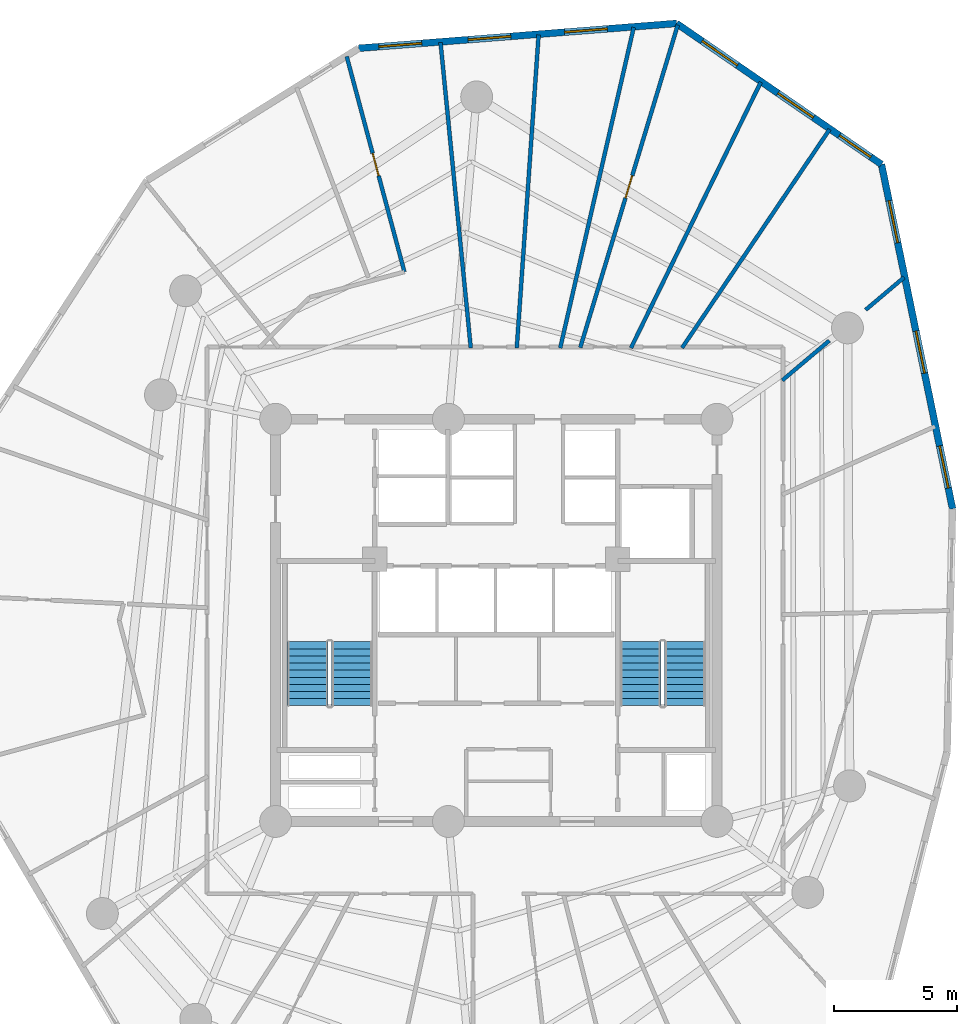
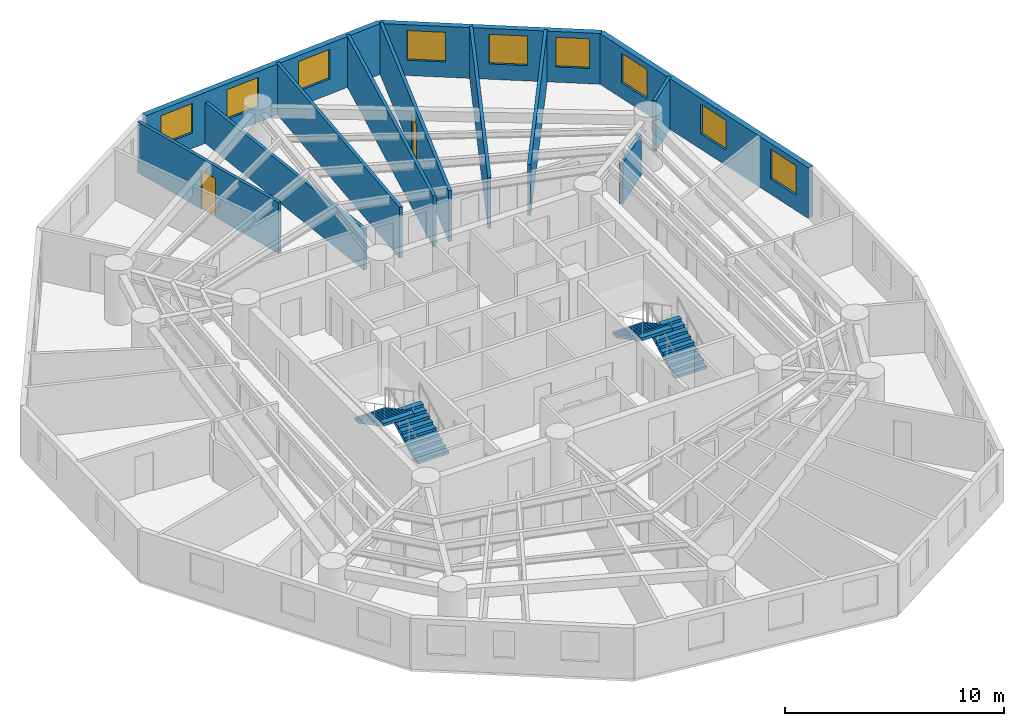
# One storey, part 7 of 8: 12 walls, 9 windows, 4 stair flights, 2 doors, 11 openings, 2 elements without a shape of their own.
"""IFC4 building model written with IfcOpenShell, lengths in metres."""

from ifc_helpers import new_model, si_unit, direction, frame, frame_2d, origin, origin_with_axes, place, context, subcontext, project, spatial, polyline, rectangle, outline, extrude, source, transform, mapped, material, layer, layer_set, type_object, element, fill, aggregate, save


model = new_model("IFC4")

# Units and contexts
model_context = context("Model", 3, precision=1e-05, world=origin(), true_north=direction((0.0, 1.0)))
body_context = subcontext(model_context, "Body", "Model", "MODEL_VIEW")
ifc_project = project(units=[si_unit("LENGTHUNIT", "METRE"), si_unit("AREAUNIT", "SQUARE_METRE"), si_unit("VOLUMEUNIT", "CUBIC_METRE"), si_unit("PLANEANGLEUNIT", "RADIAN"), si_unit("MASSUNIT", "GRAM", prefix="KILO")], contexts=[model_context])

# Site, building, storey
site_placement = place(None, origin())
site = spatial("IfcSite", under=ifc_project, at=site_placement, CompositionType="ELEMENT")
building_placement = place(site_placement, origin())
building = spatial("IfcBuilding", under=site, at=building_placement, Name="Karkom Vertical University and Central Library", CompositionType="ELEMENT")
storey_placement = place(building_placement, frame((0.0, 0.0, 184.0)))
storey = spatial("IfcBuildingStorey", under=building, at=storey_placement, Name="L53", CompositionType="ELEMENT", Elevation=184.0)

# Wall, openings, windows
ifc_material_1 = material(Name="Brick-faced precast concrete C45/55", Category="masonry")
ifc_layer_1 = layer(ifc_material_1, 0.280029296875)
ifc_layer_set_1 = layer_set([ifc_layer_1], Name="Brick-faced precast concrete C45/55")
wall_type_1 = type_object("IfcWallType", Name="ENV-WL-BRK-280", PredefinedType="SOLIDWALL", material=ifc_layer_set_1)
wall_1_placement = place(storey_placement, frame((47.110107421875, 31.05029296875, 0.0), z_axis=(0.0, 0.0, 1.0), x_axis=(-0.202089973757, 0.979366960085, 0.0)))
wall_1 = element("IfcWall", 1, at=wall_1_placement, inside=storey, type_object=wall_type_1, Name="Level 53 Brick-Faced Precast Facade Wall 08", PredefinedType="SOLIDWALL", context=body_context, shape_type="SweptSolid", body=[
    extrude(rectangle(XDim=14.34228515625, YDim=0.280029296875, at=frame_2d((7.171142578125, 0.0))), origin(), (0.0, 0.0, 1.0), 2.824951171875),
])
opening_1_placement = place(wall_1_placement, frame((0.86669921875, 0.0, 0.85009765625)))
opening_1 = element("IfcOpeningElement", 2, at=opening_1_placement, cuts=wall_1, Name="Opening WN-08", PredefinedType="OPENING", context=body_context, shape_type="SweptSolid", body=[
    extrude(rectangle(XDim=1.75, YDim=1.64990234375, at=frame_2d((0.875, 0.824951171875))), frame((0.0, 0.14990234375, 0.0), z_axis=(0.0, -1.0, 0.0), x_axis=(1.0, 0.0, 0.0)), (0.0, 0.0, 1.0), 0.300048828125),
])
opening_2_placement = place(wall_1_placement, frame((5.649658203125, 0.0, 0.85009765625)))
opening_2 = element("IfcOpeningElement", 3, at=opening_2_placement, cuts=wall_1, Name="Opening WN-08", PredefinedType="OPENING", context=body_context, shape_type="SweptSolid", body=[
    extrude(rectangle(XDim=1.75, YDim=1.64990234375, at=frame_2d((0.875, 0.824951171875))), frame((0.0, 0.14990234375, 0.0), z_axis=(0.0, -1.0, 0.0), x_axis=(1.0, 0.0, 0.0)), (0.0, 0.0, 1.0), 0.300048828125),
])
opening_3_placement = place(wall_1_placement, frame((11.0791015625, 0.0, 0.85009765625)))
opening_3 = element("IfcOpeningElement", 4, at=opening_3_placement, cuts=wall_1, Name="Opening WN-08", PredefinedType="OPENING", context=body_context, shape_type="SweptSolid", body=[
    extrude(rectangle(XDim=1.75, YDim=1.64990234375, at=frame_2d((0.875, 0.824951171875))), frame((0.0, 0.14990234375, 0.0), z_axis=(0.0, -1.0, 0.0), x_axis=(1.0, 0.0, 0.0)), (0.0, 0.0, 1.0), 0.300048828125),
])
ifc_material_2 = material(Name="Aluminium thermal-break frame with solar-control IGU", Category="aluminium")
window_type_1 = type_object("IfcWindowType", Name="ENV-WIN-WN-08", PartitioningType="SINGLE_PANEL", PredefinedType="WINDOW", material=ifc_material_2)
shared_shape_1 = source(origin_with_axes(), body_context, "Body", "SweptSolid", [
    extrude(rectangle(XDim=1.75, YDim=1.64990234375, at=frame_2d((0.875, 0.824951171875))), frame((0.0, 0.030029296875, 0.0), z_axis=(0.0, -1.0, 0.0), x_axis=(1.0, 0.0, 0.0)), (0.0, 0.0, 1.0), 0.06005859375),
])
window_1_placement = place(opening_1_placement, origin())
window_1 = element("IfcWindow", 5, at=window_1_placement, inside=storey, type_object=window_type_1, Name="Level 53 Punched Window 8.1", OverallHeight=1.64990234375, OverallWidth=1.75, PartitioningType="SINGLE_PANEL", PredefinedType="WINDOW", context=body_context, shape_type="MappedRepresentation", body=[
    mapped(shared_shape_1, transform((0.0, 0.0, 0.0), scale=1.0)),
])
fill(opening_1, window_1)
window_2_placement = place(opening_2_placement, origin())
window_2 = element("IfcWindow", 6, at=window_2_placement, inside=storey, type_object=window_type_1, Name="Level 53 Punched Window 8.2", OverallHeight=1.64990234375, OverallWidth=1.75, PartitioningType="SINGLE_PANEL", PredefinedType="WINDOW", context=body_context, shape_type="MappedRepresentation", body=[
    mapped(shared_shape_1, transform((0.0, 0.0, 0.0), scale=1.0)),
])
fill(opening_2, window_2)
window_3_placement = place(opening_3_placement, origin())
window_3 = element("IfcWindow", 7, at=window_3_placement, inside=storey, type_object=window_type_1, Name="Level 53 Punched Window 8.3", OverallHeight=1.64990234375, OverallWidth=1.75, PartitioningType="SINGLE_PANEL", PredefinedType="WINDOW", context=body_context, shape_type="MappedRepresentation", body=[
    mapped(shared_shape_1, transform((0.0, 0.0, 0.0), scale=1.0)),
])
fill(opening_3, window_3)

wall_2_placement = place(storey_placement, frame((44.211669921875, 45.0966796875, 0.0), z_axis=(0.0, 0.0, 1.0), x_axis=(-0.823940805274, 0.566675876851, 0.0)))
wall_2 = element("IfcWall", 8, at=wall_2_placement, inside=storey, type_object=wall_type_1, Name="Level 53 Brick-Faced Precast Facade Wall 09", PredefinedType="SOLIDWALL", context=body_context, shape_type="SweptSolid", body=[
    extrude(rectangle(XDim=10.1455078125, YDim=0.280029296875, at=frame_2d((5.07275390625, 0.0))), origin(), (0.0, 0.0, 1.0), 2.824951171875),
])
opening_4_placement = place(wall_2_placement, frame((0.53173828125, 0.0, 0.85009765625)))
opening_4 = element("IfcOpeningElement", 9, at=opening_4_placement, cuts=wall_2, Name="Opening WN-09", PredefinedType="OPENING", context=body_context, shape_type="SweptSolid", body=[
    extrude(rectangle(XDim=1.550048828125, YDim=1.64990234375, at=frame_2d((0.77490234375, 0.824951171875))), frame((0.0, 0.14990234375, 0.0), z_axis=(0.0, -1.0, 0.0), x_axis=(1.0, 0.0, 0.0)), (0.0, 0.0, 1.0), 0.300048828125),
])
opening_5_placement = place(wall_2_placement, frame((3.377685546875, 0.0, 0.85009765625)))
opening_5 = element("IfcOpeningElement", 10, at=opening_5_placement, cuts=wall_2, Name="Opening WN-08", PredefinedType="OPENING", context=body_context, shape_type="SweptSolid", body=[
    extrude(rectangle(XDim=1.75, YDim=1.64990234375, at=frame_2d((0.875, 0.824951171875))), frame((0.0, 0.14990234375, 0.0), z_axis=(0.0, -1.0, 0.0), x_axis=(1.0, 0.0, 0.0)), (0.0, 0.0, 1.0), 0.300048828125),
])
opening_6_placement = place(wall_2_placement, frame((7.12890625, 0.0, 0.85009765625)))
opening_6 = element("IfcOpeningElement", 11, at=opening_6_placement, cuts=wall_2, Name="Opening WN-08", PredefinedType="OPENING", context=body_context, shape_type="SweptSolid", body=[
    extrude(rectangle(XDim=1.75, YDim=1.64990234375, at=frame_2d((0.875, 0.824951171875))), frame((0.0, 0.14990234375, 0.0), z_axis=(0.0, -1.0, 0.0), x_axis=(1.0, 0.0, 0.0)), (0.0, 0.0, 1.0), 0.300048828125),
])
window_4_placement = place(opening_5_placement, origin())
window_4 = element("IfcWindow", 12, at=window_4_placement, inside=storey, type_object=window_type_1, Name="Level 53 Punched Window 9.2", OverallHeight=1.64990234375, OverallWidth=1.75, PartitioningType="SINGLE_PANEL", PredefinedType="WINDOW", context=body_context, shape_type="MappedRepresentation", body=[
    mapped(shared_shape_1, transform((0.0, 0.0, 0.0), scale=1.0)),
])
fill(opening_5, window_4)
window_5_placement = place(opening_6_placement, origin())
window_5 = element("IfcWindow", 13, at=window_5_placement, inside=storey, type_object=window_type_1, Name="Level 53 Punched Window 9.3", OverallHeight=1.64990234375, OverallWidth=1.75, PartitioningType="SINGLE_PANEL", PredefinedType="WINDOW", context=body_context, shape_type="MappedRepresentation", body=[
    mapped(shared_shape_1, transform((0.0, 0.0, 0.0), scale=1.0)),
])
fill(opening_6, window_5)
window_type_2 = type_object("IfcWindowType", Name="ENV-WIN-WN-09", PartitioningType="SINGLE_PANEL", PredefinedType="WINDOW", material=ifc_material_2)
shared_shape_2 = source(origin_with_axes(), body_context, "Body", "SweptSolid", [
    extrude(rectangle(XDim=1.550048828125, YDim=1.64990234375, at=frame_2d((0.77490234375, 0.824951171875))), frame((0.0, 0.030029296875, 0.0), z_axis=(0.0, -1.0, 0.0), x_axis=(1.0, 0.0, 0.0)), (0.0, 0.0, 1.0), 0.06005859375),
])
window_6_placement = place(opening_4_placement, origin())
window_6 = element("IfcWindow", 14, at=window_6_placement, inside=storey, type_object=window_type_2, Name="Level 53 Punched Window 9.1", OverallHeight=1.64990234375, OverallWidth=1.550048828125, PartitioningType="SINGLE_PANEL", PredefinedType="WINDOW", context=body_context, shape_type="MappedRepresentation", body=[
    mapped(shared_shape_2, transform((0.0, 0.0, 0.0), scale=1.0)),
])
fill(opening_4, window_6)

wall_3_placement = place(storey_placement, frame((35.852294921875, 50.845947265625, 0.0), z_axis=(0.0, 0.0, 1.0), x_axis=(-0.996970745156, -0.077777460121, 0.0)))
wall_3 = element("IfcWall", 15, at=wall_3_placement, inside=storey, type_object=wall_type_1, Name="Level 53 Brick-Faced Precast Facade Wall 10", PredefinedType="SOLIDWALL", context=body_context, shape_type="SweptSolid", body=[
    extrude(rectangle(XDim=13.004638671875, YDim=0.280029296875, at=frame_2d((6.50244140625, 0.0))), origin(), (0.0, 0.0, 1.0), 2.824951171875),
])
opening_7_placement = place(wall_3_placement, frame((2.832275390625, 0.0, 0.85009765625)))
opening_7 = element("IfcOpeningElement", 16, at=opening_7_placement, cuts=wall_3, Name="Opening WN-08", PredefinedType="OPENING", context=body_context, shape_type="SweptSolid", body=[
    extrude(rectangle(XDim=1.75, YDim=1.64990234375, at=frame_2d((0.875, 0.824951171875))), frame((0.0, 0.14990234375, 0.0), z_axis=(0.0, -1.0, 0.0), x_axis=(1.0, 0.0, 0.0)), (0.0, 0.0, 1.0), 0.300048828125),
])
opening_8_placement = place(wall_3_placement, frame((6.77783203125, 0.0, 0.85009765625)))
opening_8 = element("IfcOpeningElement", 17, at=opening_8_placement, cuts=wall_3, Name="Opening WN-08", PredefinedType="OPENING", context=body_context, shape_type="SweptSolid", body=[
    extrude(rectangle(XDim=1.75, YDim=1.64990234375, at=frame_2d((0.875, 0.824951171875))), frame((0.0, 0.14990234375, 0.0), z_axis=(0.0, -1.0, 0.0), x_axis=(1.0, 0.0, 0.0)), (0.0, 0.0, 1.0), 0.300048828125),
])
opening_9_placement = place(wall_3_placement, frame((10.425537109375, 0.0, 0.85009765625)))
opening_9 = element("IfcOpeningElement", 18, at=opening_9_placement, cuts=wall_3, Name="Opening WN-08", PredefinedType="OPENING", context=body_context, shape_type="SweptSolid", body=[
    extrude(rectangle(XDim=1.75, YDim=1.64990234375, at=frame_2d((0.875, 0.824951171875))), frame((0.0, 0.14990234375, 0.0), z_axis=(0.0, -1.0, 0.0), x_axis=(1.0, 0.0, 0.0)), (0.0, 0.0, 1.0), 0.300048828125),
])
window_7_placement = place(opening_7_placement, origin())
window_7 = element("IfcWindow", 19, at=window_7_placement, inside=storey, type_object=window_type_1, Name="Level 53 Punched Window 10.1", OverallHeight=1.64990234375, OverallWidth=1.75, PartitioningType="SINGLE_PANEL", PredefinedType="WINDOW", context=body_context, shape_type="MappedRepresentation", body=[
    mapped(shared_shape_1, transform((0.0, 0.0, 0.0), scale=1.0)),
])
fill(opening_7, window_7)
window_8_placement = place(opening_8_placement, origin())
window_8 = element("IfcWindow", 20, at=window_8_placement, inside=storey, type_object=window_type_1, Name="Level 53 Punched Window 10.2", OverallHeight=1.64990234375, OverallWidth=1.75, PartitioningType="SINGLE_PANEL", PredefinedType="WINDOW", context=body_context, shape_type="MappedRepresentation", body=[
    mapped(shared_shape_1, transform((0.0, 0.0, 0.0), scale=1.0)),
])
fill(opening_8, window_8)
window_9_placement = place(opening_9_placement, origin())
window_9 = element("IfcWindow", 21, at=window_9_placement, inside=storey, type_object=window_type_1, Name="Level 53 Punched Window 10.3", OverallHeight=1.64990234375, OverallWidth=1.75, PartitioningType="SINGLE_PANEL", PredefinedType="WINDOW", context=body_context, shape_type="MappedRepresentation", body=[
    mapped(shared_shape_1, transform((0.0, 0.0, 0.0), scale=1.0)),
])
fill(opening_9, window_9)

# Wall, opening, door
ifc_material_3 = material(Name="Insulated metal-stud drywall 160mm", Category="gypsum")
ifc_layer_2 = layer(ifc_material_3, 0.159912109375)
ifc_layer_set_2 = layer_set([ifc_layer_2], Name="Insulated metal-stud drywall 160mm")
wall_type_2 = type_object("IfcWallType", Name="INT-WL-COR-160", PredefinedType="PARTITIONING", material=ifc_layer_set_2)
wall_4_placement = place(storey_placement, frame((31.92431640625, 37.621337890625, 0.0), z_axis=(0.0, 0.0, 1.0), x_axis=(0.289346732565, 0.957224356331, 0.0)))
wall_4 = element("IfcWall", 22, at=wall_4_placement, inside=storey, type_object=wall_type_2, Name="Level 53 Interior Partition Wall L53-PW-032", PredefinedType="PARTITIONING", context=body_context, shape_type="SweptSolid", body=[
    extrude(rectangle(XDim=13.744873046875, YDim=0.159912109375, at=frame_2d((6.87255859375, 0.0))), origin(), (0.0, 0.0, 1.0), 2.824951171875),
])
opening_10_placement = place(wall_4_placement, frame((6.3798828125, 0.0, 0.0)))
opening_10 = element("IfcOpeningElement", 23, at=opening_10_placement, cuts=wall_4, Name="Opening D-RM1", PredefinedType="OPENING", context=body_context, shape_type="SweptSolid", body=[
    extrude(rectangle(XDim=0.949951171875, YDim=2.14990234375, at=frame_2d((0.47509765625, 1.074951171875))), frame((0.0, 0.08984375, 0.0), z_axis=(0.0, -1.0, 0.0), x_axis=(1.0, 0.0, 0.0)), (0.0, 0.0, 1.0), 0.179931640625),
])
ifc_material_4 = material(Name="Solid-core oak veneer door", Category="wood")
door_type = type_object("IfcDoorType", Name="INT-DR-RM1", OperationType="NOTDEFINED", PredefinedType="DOOR", material=ifc_material_4)
shared_shape_3 = source(origin_with_axes(), body_context, "Body", "SweptSolid", [
    extrude(rectangle(XDim=0.949951171875, YDim=2.14990234375, at=frame_2d((0.47509765625, 1.074951171875))), frame((0.0, 0.02490234375, 0.0), z_axis=(0.0, -1.0, 0.0), x_axis=(1.0, 0.0, 0.0)), (0.0, 0.0, 1.0), 0.050048828125),
])
door_1_placement = place(opening_10_placement, origin())
door_1 = element("IfcDoor", 24, at=door_1_placement, inside=storey, type_object=door_type, Name="Level 53 Room Entry Door 210", OperationType="SINGLE_SWING_LEFT", OverallHeight=2.14990234375, OverallWidth=0.949951171875, PredefinedType="DOOR", context=body_context, shape_type="MappedRepresentation", body=[
    mapped(shared_shape_3, transform((0.0, 0.0, 0.0), scale=1.0)),
])
fill(opening_10, door_1)

# Walls
wall_5_placement = place(storey_placement, frame((31.107666015625, 37.606201171875, 0.0), z_axis=(0.0, 0.0, 1.0), x_axis=(0.223454327457, 0.974714401012, 0.0)))
element("IfcWall", 25, at=wall_5_placement, inside=storey, type_object=wall_type_2, Name="Level 53 Interior Partition Wall L53-PW-033", PredefinedType="PARTITIONING", context=body_context, shape_type="SweptSolid", body=[
    extrude(rectangle(XDim=13.41455078125, YDim=0.159912109375, at=frame_2d((6.707275390625, 0.0))), origin(), (0.0, 0.0, 1.0), 2.824951171875),
])
wall_6_placement = place(storey_placement, frame((29.33544921875, 37.60498046875, 0.0), z_axis=(0.0, 0.0, 1.0), x_axis=(0.069615909415, 0.997573869524, 0.0)))
element("IfcWall", 26, at=wall_6_placement, inside=storey, type_object=wall_type_2, Name="Level 53 Interior Partition Wall L53-PW-034", PredefinedType="PARTITIONING", context=body_context, shape_type="SweptSolid", body=[
    extrude(rectangle(XDim=12.807373046875, YDim=0.159912109375, at=frame_2d((6.40380859375, 0.0))), origin(), (0.0, 0.0, 1.0), 2.824951171875),
])
wall_7_placement = place(storey_placement, frame((27.460693359375, 37.605224609375, 0.0), z_axis=(0.0, 0.0, 1.0), x_axis=(-0.098527189477, 0.995134359237, 0.0)))
element("IfcWall", 27, at=wall_7_placement, inside=storey, type_object=wall_type_2, Name="Level 53 Interior Partition Wall L53-PW-035", PredefinedType="PARTITIONING", context=body_context, shape_type="SweptSolid", body=[
    extrude(rectangle(XDim=12.52587890625, YDim=0.159912109375, at=frame_2d((6.262939453125, 0.0))), origin(), (0.0, 0.0, 1.0), 2.27490234375),
])
wall_8_placement = place(storey_placement, frame((33.993408203125, 37.609619140625, 0.0), z_axis=(0.0, 0.0, 1.0), x_axis=(0.438898367805, 0.898536711959, 0.0)))
element("IfcWall", 28, at=wall_8_placement, inside=storey, type_object=wall_type_2, Name="Level 53 Interior Partition Wall L53-PW-031", PredefinedType="PARTITIONING", context=body_context, shape_type="SweptSolid", body=[
    extrude(rectangle(XDim=12.065673828125, YDim=0.159912109375, at=frame_2d((6.03271484375, 0.0))), origin(), (0.0, 0.0, 1.0), 2.824951171875),
])
wall_9_placement = place(storey_placement, frame((36.076416015625, 37.61279296875, 0.0), z_axis=(0.0, 0.0, 1.0), x_axis=(0.559610901912, 0.828755475675, 0.0)))
element("IfcWall", 29, at=wall_9_placement, inside=storey, type_object=wall_type_2, Name="Level 53 Interior Partition Wall L53-PW-030", PredefinedType="PARTITIONING", context=body_context, shape_type="SweptSolid", body=[
    extrude(rectangle(XDim=10.751953125, YDim=0.159912109375, at=frame_2d((5.3759765625, 0.0))), origin(), (0.0, 0.0, 1.0), 2.824951171875),
])

# Wall, opening, door
wall_10_placement = place(storey_placement, frame((24.753662109375, 40.71337890625, 0.0), z_axis=(0.0, 0.0, 1.0), x_axis=(-0.258817044013, 0.965926362477, 0.0)))
wall_10 = element("IfcWall", 30, at=wall_10_placement, inside=storey, type_object=wall_type_2, Name="Level 53 Interior Partition Wall L53-PW-036", PredefinedType="PARTITIONING", context=body_context, shape_type="SweptSolid", body=[
    extrude(rectangle(XDim=9.09423828125, YDim=0.159912109375, at=frame_2d((4.547119140625, 0.0))), origin(), (0.0, 0.0, 1.0), 2.824951171875),
])
opening_11_placement = place(wall_10_placement, frame((4.0546875, 0.0, 0.0)))
opening_11 = element("IfcOpeningElement", 31, at=opening_11_placement, cuts=wall_10, Name="Opening D-RM1", PredefinedType="OPENING", context=body_context, shape_type="SweptSolid", body=[
    extrude(rectangle(XDim=0.949951171875, YDim=2.14990234375, at=frame_2d((0.47509765625, 1.074951171875))), frame((0.0, 0.08984375, 0.0), z_axis=(0.0, -1.0, 0.0), x_axis=(1.0, 0.0, 0.0)), (0.0, 0.0, 1.0), 0.179931640625),
])
door_2_placement = place(opening_11_placement, origin())
door_2 = element("IfcDoor", 32, at=door_2_placement, inside=storey, type_object=door_type, Name="Level 53 Room Entry Door 250", OperationType="SINGLE_SWING_RIGHT", OverallHeight=2.14990234375, OverallWidth=0.949951171875, PredefinedType="DOOR", context=body_context, shape_type="MappedRepresentation", body=[
    mapped(shared_shape_3, transform((0.0, 0.0, 0.0), scale=1.0)),
])
fill(opening_11, door_2)

# Walls
wall_11_placement = place(storey_placement, frame((40.16552734375, 36.2890625, 0.0), z_axis=(0.0, 0.0, 1.0), x_axis=(0.763533690392, 0.645767995209, 0.0)))
element("IfcWall", 33, at=wall_11_placement, inside=storey, type_object=wall_type_2, Name="Level 53 Interior Partition Wall L53-PW-028", PredefinedType="PARTITIONING", context=body_context, shape_type="SweptSolid", body=[
    extrude(rectangle(XDim=2.5126953125, YDim=0.159912109375, at=frame_2d((1.25634765625, 0.0))), origin(), (0.0, 0.0, 1.0), 2.27490234375),
])
wall_12_placement = place(storey_placement, frame((43.56396484375, 39.16357421875, 0.0), z_axis=(0.0, 0.0, 1.0), x_axis=(0.763485654843, 0.645824786494, 0.0)))
element("IfcWall", 34, at=wall_12_placement, inside=storey, type_object=wall_type_2, Name="Level 53 Interior Partition Wall L53-PW-029", PredefinedType="PARTITIONING", context=body_context, shape_type="SweptSolid", body=[
    extrude(rectangle(XDim=2.050048828125, YDim=0.159912109375, at=frame_2d((1.02490234375, 0.0))), origin(), (0.0, 0.0, 1.0), 2.824951171875),
])

# Stair, stair flights
ifc_material_5 = material(Name="Concrete C45/55", Category="concrete")
stair_type = type_object("IfcStairType", Name="INT-STR-ST-MAIN", PredefinedType="HALF_TURN_STAIR", material=ifc_material_5)
stair_1_placement = place(storey_placement, origin())
stair_1 = element("IfcStair", 35, at=stair_1_placement, inside=storey, type_object=stair_type, Name="Level 53 Tower Protected Exit Stair ST-1", PredefinedType="HALF_TURN_STAIR")
stair_flight_type = type_object("IfcStairFlightType", Name="INT-SFL-ST-MAIN", PredefinedType="STRAIGHT", material=ifc_material_5)
stair_flight_1_placement = place(storey_placement, frame((22.614990234375, 23.02001953125, 0.0), z_axis=(0.0, 0.0, 1.0), x_axis=(0.0, 1.0, 0.0)))
stair_flight_1 = element("IfcStairFlight", 36, at=stair_flight_1_placement, type_object=stair_flight_type, Name="ST-1 flight 1", NumberOfRisers=10, NumberOfTreads=9, PredefinedType="STRAIGHT", RiserHeight=0.1525, TreadLength=0.29, context=body_context, shape_type="SweptSolid", body=[
    extrude(outline(polyline([(0.0, 0.0), (0.0, 0.152587890625), (0.2900390625, 0.152587890625), (0.2900390625, 0.304931640625), (0.580078125, 0.304931640625), (0.580078125, 0.45751953125), (0.8701171875, 0.45751953125), (0.8701171875, 0.610107421875), (1.159912109375, 0.610107421875), (1.159912109375, 0.762451171875), (1.449951171875, 0.762451171875), (1.449951171875, 0.9150390625), (1.739990234375, 0.9150390625), (1.739990234375, 1.0673828125), (2.030029296875, 1.0673828125), (2.030029296875, 1.219970703125), (2.320068359375, 1.219970703125), (2.320068359375, 1.37255859375), (2.610107421875, 1.37255859375), (2.610107421875, 1.52490234375), (2.610107421875, 1.203125), (0.322021484375, 0.0), (0.0, 0.0)])), frame((0.0, 0.824951171875, 0.0), z_axis=(0.0, -1.0, 0.0), x_axis=(1.0, 0.0, 0.0)), (0.0, 0.0, 1.0), 1.64990234375),
])
stair_flight_2_placement = place(storey_placement, frame((20.804931640625, 25.6298828125, 1.52490234375), z_axis=(0.0, 0.0, 1.0), x_axis=(0.0, -1.0, 0.0)))
stair_flight_2 = element("IfcStairFlight", 37, at=stair_flight_2_placement, type_object=stair_flight_type, Name="ST-1 flight 2", NumberOfRisers=10, NumberOfTreads=9, PredefinedType="STRAIGHT", RiserHeight=0.1525, TreadLength=0.29, context=body_context, shape_type="SweptSolid", body=[
    extrude(outline(polyline([(0.0, 0.0), (0.0, 0.152587890625), (0.2900390625, 0.152587890625), (0.2900390625, 0.304931640625), (0.580078125, 0.304931640625), (0.580078125, 0.45751953125), (0.8701171875, 0.45751953125), (0.8701171875, 0.610107421875), (1.159912109375, 0.610107421875), (1.159912109375, 0.762451171875), (1.449951171875, 0.762451171875), (1.449951171875, 0.9150390625), (1.739990234375, 0.9150390625), (1.739990234375, 1.0673828125), (2.030029296875, 1.0673828125), (2.030029296875, 1.219970703125), (2.320068359375, 1.219970703125), (2.320068359375, 1.37255859375), (2.610107421875, 1.37255859375), (2.610107421875, 1.52490234375), (2.610107421875, 1.203125), (0.322021484375, 0.0), (0.0, 0.0)])), frame((0.0, 0.824951171875, 0.0), z_axis=(0.0, -1.0, 0.0), x_axis=(1.0, 0.0, 0.0)), (0.0, 0.0, 1.0), 1.64990234375),
])
aggregate(stair_1, [stair_flight_1, stair_flight_2])

stair_2_placement = place(storey_placement, origin())
stair_2 = element("IfcStair", 38, at=stair_2_placement, inside=storey, type_object=stair_type, Name="Level 53 Tower Protected Exit Stair ST-2", PredefinedType="HALF_TURN_STAIR")
stair_flight_3_placement = place(storey_placement, frame((36.195068359375, 23.02001953125, 0.0), z_axis=(0.0, 0.0, 1.0), x_axis=(0.0, 1.0, 0.0)))
stair_flight_3 = element("IfcStairFlight", 39, at=stair_flight_3_placement, type_object=stair_flight_type, Name="ST-2 flight 1", NumberOfRisers=10, NumberOfTreads=9, PredefinedType="STRAIGHT", RiserHeight=0.1525, TreadLength=0.29, context=body_context, shape_type="SweptSolid", body=[
    extrude(outline(polyline([(0.0, 0.0), (0.0, 0.152587890625), (0.2900390625, 0.152587890625), (0.2900390625, 0.304931640625), (0.580078125, 0.304931640625), (0.580078125, 0.45751953125), (0.8701171875, 0.45751953125), (0.8701171875, 0.610107421875), (1.159912109375, 0.610107421875), (1.159912109375, 0.762451171875), (1.449951171875, 0.762451171875), (1.449951171875, 0.9150390625), (1.739990234375, 0.9150390625), (1.739990234375, 1.0673828125), (2.030029296875, 1.0673828125), (2.030029296875, 1.219970703125), (2.320068359375, 1.219970703125), (2.320068359375, 1.37255859375), (2.610107421875, 1.37255859375), (2.610107421875, 1.52490234375), (2.610107421875, 1.203125), (0.322021484375, 0.0), (0.0, 0.0)])), frame((0.0, 0.824951171875, 0.0), z_axis=(0.0, -1.0, 0.0), x_axis=(1.0, 0.0, 0.0)), (0.0, 0.0, 1.0), 1.64990234375),
])
stair_flight_4_placement = place(storey_placement, frame((34.385009765625, 25.6298828125, 1.52490234375), z_axis=(0.0, 0.0, 1.0), x_axis=(0.0, -1.0, 0.0)))
stair_flight_4 = element("IfcStairFlight", 40, at=stair_flight_4_placement, type_object=stair_flight_type, Name="ST-2 flight 2", NumberOfRisers=10, NumberOfTreads=9, PredefinedType="STRAIGHT", RiserHeight=0.1525, TreadLength=0.29, context=body_context, shape_type="SweptSolid", body=[
    extrude(outline(polyline([(0.0, 0.0), (0.0, 0.152587890625), (0.2900390625, 0.152587890625), (0.2900390625, 0.304931640625), (0.580078125, 0.304931640625), (0.580078125, 0.45751953125), (0.8701171875, 0.45751953125), (0.8701171875, 0.610107421875), (1.159912109375, 0.610107421875), (1.159912109375, 0.762451171875), (1.449951171875, 0.762451171875), (1.449951171875, 0.9150390625), (1.739990234375, 0.9150390625), (1.739990234375, 1.0673828125), (2.030029296875, 1.0673828125), (2.030029296875, 1.219970703125), (2.320068359375, 1.219970703125), (2.320068359375, 1.37255859375), (2.610107421875, 1.37255859375), (2.610107421875, 1.52490234375), (2.610107421875, 1.203125), (0.322021484375, 0.0), (0.0, 0.0)])), frame((0.0, 0.824951171875, 0.0), z_axis=(0.0, -1.0, 0.0), x_axis=(1.0, 0.0, 0.0)), (0.0, 0.0, 1.0), 1.64990234375),
])
aggregate(stair_2, [stair_flight_3, stair_flight_4])

save(model, "model.ifc")
